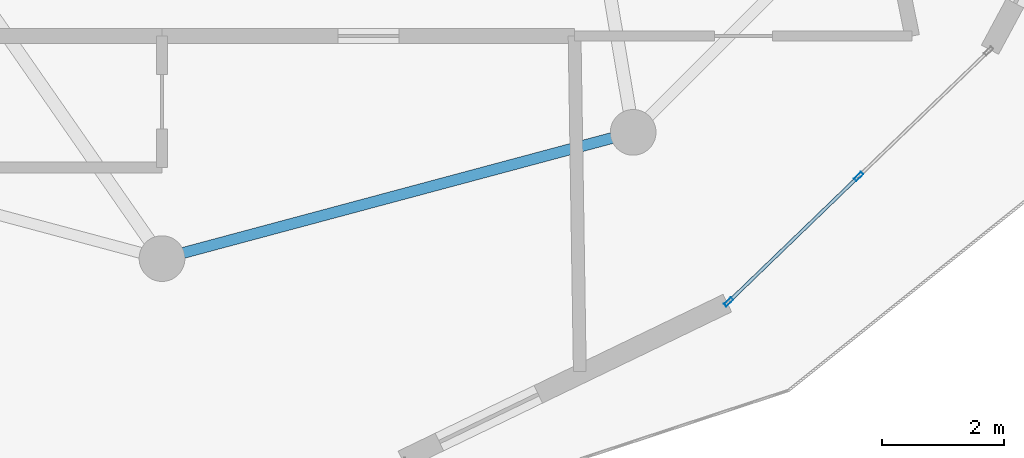
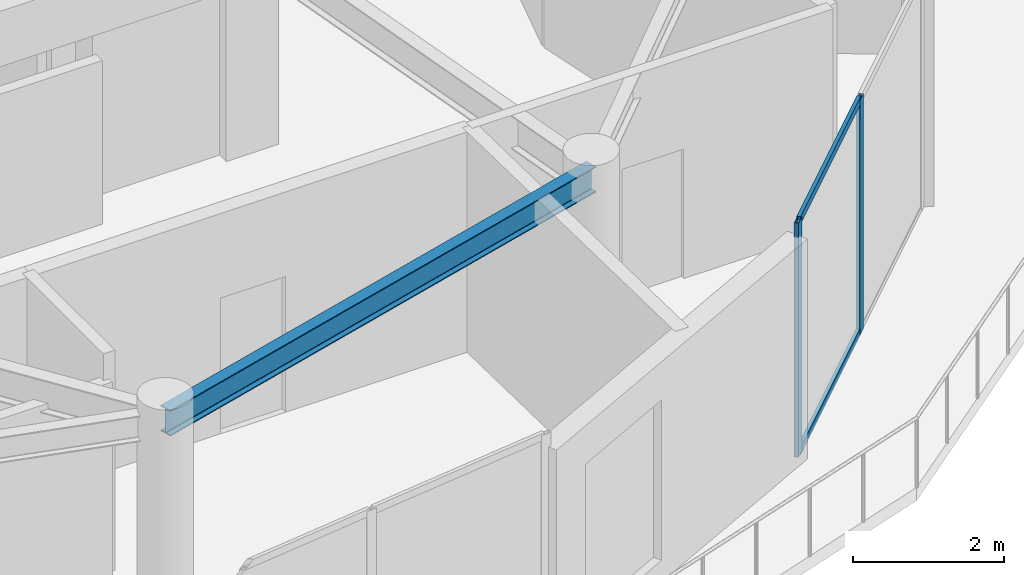
# One storey, part 5 of 23: 4 members, 1 beam, 1 element without a shape of its own.
"""IFC4 building model written with IfcOpenShell, lengths in metres."""

import ifcopenshell
import ifcopenshell.guid

model = None  # the IFC model being written
_history = None  # IfcOwnerHistory: only IFC2X3 demands one
_inside = {}  # id of a spatial element -> (the spatial element, [elements in it])
_under = {}  # id of a project, library or spatial element -> (it, [spatial elements below it])
_declared = {}  # id of a project -> (the project, [libraries it declares])
_typed = {}  # id of a type object -> (the type object, [elements of that type])
_made_of = {}  # id of a material, layer set ... -> (it, [elements and type objects made of it])


def new_model(schema):
    """Start an empty IFC model of exactly this schema.

    Asked for "IFC4X3", IfcOpenShell would pick the latest addendum, in which some entities
    have other attributes; the version numbers below select the first issue.
    IFC2X3 requires an IfcOwnerHistory on every rooted entity: one is made here for all.
    """
    global model, _history
    if schema == "IFC4X3":
        model = ifcopenshell.file(schema_version=(4, 3, 0, 0))
    else:
        model = ifcopenshell.file(schema=schema)
    _inside.clear()
    _under.clear()
    _declared.clear()
    _typed.clear()
    _made_of.clear()
    _history = None
    if model.schema == "IFC2X3":
        org = make("IfcOrganization", Name="unknown")
        user = make(
            "IfcPersonAndOrganization",
            ThePerson=make("IfcPerson", FamilyName="unknown"),
            TheOrganization=org,
        )
        app = make(
            "IfcApplication",
            ApplicationDeveloper=org,
            Version="unknown",
            ApplicationFullName="unknown",
            ApplicationIdentifier="unknown",
        )
        _history = make(
            "IfcOwnerHistory",
            OwningUser=user,
            OwningApplication=app,
            ChangeAction="ADDED",
            CreationDate=0,
        )
    return model


def make(cls, **values):
    """One entity of the class cls with the attributes given. An attribute that is None is left unset."""
    return model.create_entity(
        cls, **{name: value for name, value in values.items() if value is not None}
    )


def rooted(cls, **values):
    """An entity with a GlobalId (a new one), such as an element, a storey or a relation."""
    return make(cls, GlobalId=ifcopenshell.guid.new(), OwnerHistory=_history, **values)


def si_unit(unit_type, name, prefix=None):
    """IfcSIUnit, for example si_unit("LENGTHUNIT", "METRE", prefix="MILLI")."""
    return make("IfcSIUnit", UnitType=unit_type, Prefix=prefix, Name=name)


def assignment(units):
    """IfcUnitAssignment: the units of a project."""
    return None if units is None else make("IfcUnitAssignment", Units=units)


def point(xyz):
    """IfcCartesianPoint."""
    return None if xyz is None else make("IfcCartesianPoint", Coordinates=xyz)


def direction(xyz):
    """IfcDirection."""
    return None if xyz is None else make("IfcDirection", DirectionRatios=xyz)


def frame(location, z_axis=None, x_axis=None):
    """IfcAxis2Placement3D, a coordinate frame: its origin and axes. An axis left out is left unset."""
    return make(
        "IfcAxis2Placement3D",
        Location=point(location),
        Axis=direction(z_axis),
        RefDirection=direction(x_axis),
    )


def frame_2d(location, x_axis=None):
    """IfcAxis2Placement2D, a coordinate frame in the plane: its origin and x axis."""
    return make(
        "IfcAxis2Placement2D", Location=point(location), RefDirection=direction(x_axis)
    )


def origin():
    """The frame at (0, 0, 0) with its axes left unset."""
    return frame((0.0, 0.0, 0.0))


def origin_2d():
    """The frame at (0, 0) in the plane with its x axis left unset."""
    return frame_2d((0.0, 0.0))


def place(relative_to, where):
    """IfcLocalPlacement: puts the frame where relative to a parent placement (None: the world)."""
    return make(
        "IfcLocalPlacement", PlacementRelTo=relative_to, RelativePlacement=where
    )


def context(
    kind, dimensions, precision=None, world=None, true_north=None, identifier=None
):
    """IfcGeometricRepresentationContext, for example the 3D "Model" context."""
    return make(
        "IfcGeometricRepresentationContext",
        ContextIdentifier=identifier,
        ContextType=kind,
        CoordinateSpaceDimension=dimensions,
        Precision=precision,
        WorldCoordinateSystem=world,
        TrueNorth=true_north,
    )


def subcontext(parent, identifier, kind, view, scale=None):
    """IfcGeometricRepresentationSubContext, for example "Body" below "Model"."""
    return make(
        "IfcGeometricRepresentationSubContext",
        ContextIdentifier=identifier,
        ContextType=kind,
        ParentContext=parent,
        TargetScale=scale,
        TargetView=view,
    )


def project(units=None, contexts=None):
    """IfcProject with its units and contexts."""
    return rooted(
        "IfcProject",
        Name="project",
        RepresentationContexts=contexts,
        UnitsInContext=assignment(units),
    )


def spatial(cls, under=None, at=None, **own):
    """A site, building, storey or space (cls), placed at a placement, below another one or the project."""
    s = rooted(cls, ObjectPlacement=at, **own)
    if under is not None:
        _under.setdefault(under.id(), (under, []))[1].append(s)
    return s


def profile(cls, at=None, kind="AREA", **sizes):
    """A parametric profile (cls). Its sizes go by their IFC names, for example OverallWidth=200.0."""
    return make(cls, ProfileType=kind, Position=at, **sizes)


def hollow_rectangle(**sizes):
    """IfcRectangleHollowProfileDef."""
    return profile("IfcRectangleHollowProfileDef", **sizes)


def i_section(**sizes):
    """IfcIShapeProfileDef."""
    return profile("IfcIShapeProfileDef", **sizes)


def extrude(swept, where, along, depth):
    """IfcExtrudedAreaSolid: the profile swept, set in the frame where, extruded along a direction by depth."""
    return make(
        "IfcExtrudedAreaSolid",
        SweptArea=swept,
        Position=where,
        ExtrudedDirection=direction(along),
        Depth=depth,
    )


def shape(context_of_items, identifier, shape_type, items):
    """IfcShapeRepresentation: the items that make up one representation, for example the "Body"."""
    return make(
        "IfcShapeRepresentation",
        ContextOfItems=context_of_items,
        RepresentationIdentifier=identifier,
        RepresentationType=shape_type,
        Items=items,
    )


def source(mapping_origin, context_of_items, identifier, shape_type, items):
    """IfcRepresentationMap: a shape defined once, which mapped items show again and again."""
    return make(
        "IfcRepresentationMap",
        MappingOrigin=mapping_origin,
        MappedRepresentation=shape(context_of_items, identifier, shape_type, items),
    )


def transform(
    local_origin,
    x_axis=None,
    y_axis=None,
    z_axis=None,
    scale=None,
    scale2=None,
    scale3=None,
    uniform=True,
):
    """IfcCartesianTransformationOperator3D, or its non-uniform kind. x_axis, y_axis, z_axis: its Axis1, 2, 3."""
    if uniform:
        return make(
            "IfcCartesianTransformationOperator3D",
            Axis1=direction(x_axis),
            Axis2=direction(y_axis),
            LocalOrigin=point(local_origin),
            Scale=scale,
            Axis3=direction(z_axis),
        )
    return make(
        "IfcCartesianTransformationOperator3DnonUniform",
        Axis1=direction(x_axis),
        Axis2=direction(y_axis),
        LocalOrigin=point(local_origin),
        Scale=scale,
        Axis3=direction(z_axis),
        Scale2=scale2,
        Scale3=scale3,
    )


def mapped(mapping_source, mapping_target):
    """IfcMappedItem: shows the shape of a source again, moved by a transform."""
    return make(
        "IfcMappedItem", MappingSource=mapping_source, MappingTarget=mapping_target
    )


def material(Name=None, Category=None):
    """IfcMaterial."""
    return make("IfcMaterial", Name=Name, Category=Category)


def layer(
    of_material, thickness, ventilated=None, Name=None, Category=None, Priority=None
):
    """IfcMaterialLayer: one layer of a wall or slab, of a material (None: an air gap)."""
    return make(
        "IfcMaterialLayer",
        Material=of_material,
        LayerThickness=thickness,
        IsVentilated=ventilated,
        Name=Name,
        Category=Category,
        Priority=Priority,
    )


def layer_set(layers, Name=None):
    """IfcMaterialLayerSet."""
    return make("IfcMaterialLayerSet", MaterialLayers=layers, LayerSetName=Name)


def material_profile(
    of_material, cross_section, Name=None, Category=None, Priority=None
):
    """IfcMaterialProfile: a cross section and its material."""
    return make(
        "IfcMaterialProfile",
        Name=Name,
        Material=of_material,
        Profile=cross_section,
        Priority=Priority,
        Category=Category,
    )


def profile_set(profiles, Name=None, composite=None):
    """IfcMaterialProfileSet."""
    return make(
        "IfcMaterialProfileSet",
        Name=Name,
        MaterialProfiles=profiles,
        CompositeProfile=composite,
    )


def made_of(thing, what):
    """Note that an element or type object is made of a material, layer set ...; save() writes the relation."""
    if what is not None:
        _made_of.setdefault(what.id(), (what, []))[1].append(thing)
    return thing


def type_object(cls, material=None, **own):
    """A type object (cls), such as IfcWallType, which elements share."""
    return made_of(rooted(cls, **own), material)


def element(
    cls,
    number,
    at=None,
    inside=None,
    cuts=None,
    type_object=None,
    material=None,
    context=None,
    identifier="Body",
    shape_type=None,
    held_by="IfcProductDefinitionShape",
    body=None,
    shapes=None,
    **own,
):
    """One element of the class cls, such as IfcWall. Its Tag is "e" and its number.

    at: its placement. inside: the storey or other place that contains it. cuts: it is an
    opening in that element (IfcRelVoidsElement). A single representation is given by context,
    identifier, shape_type and body (its items); several are given by shapes. held_by: the class
    of the entity that holds the representations. save() writes the other relations.
    """
    e = rooted(cls, Tag="e%d" % number, ObjectPlacement=at, **own)
    if body is not None:
        shapes = [shape(context, identifier, shape_type, body)]
    if shapes is not None:
        e.Representation = make(held_by, Representations=shapes)
    if inside is not None:
        _inside.setdefault(inside.id(), (inside, []))[1].append(e)
    if cuts is not None:
        rooted(
            "IfcRelVoidsElement", RelatingBuildingElement=cuts, RelatedOpeningElement=e
        )
    if type_object is not None:
        _typed.setdefault(type_object.id(), (type_object, []))[1].append(e)
    return made_of(e, material)


def aggregate(whole, parts):
    """IfcRelAggregates: a whole, such as a stair, and the parts it consists of."""
    return rooted("IfcRelAggregates", RelatingObject=whole, RelatedObjects=parts)


def save(model, path):
    """Write the relations noted so far, then the file.

    IfcRelAggregates (storeys below a building ...), IfcRelContainedInSpatialStructure (elements
    in a storey), IfcRelDefinesByType, IfcRelAssociatesMaterial and IfcRelDeclares: one each for
    every whole, place, type object, material and project.
    """
    for whole, parts in _under.values():
        aggregate(whole, parts)
    for where, things in _inside.values():
        rooted(
            "IfcRelContainedInSpatialStructure",
            RelatedElements=things,
            RelatingStructure=where,
        )
    for kind, things in _typed.values():
        rooted("IfcRelDefinesByType", RelatedObjects=things, RelatingType=kind)
    for what, things in _made_of.values():
        rooted("IfcRelAssociatesMaterial", RelatedObjects=things, RelatingMaterial=what)
    for by, libraries in _declared.values():
        rooted("IfcRelDeclares", RelatingContext=by, RelatedDefinitions=libraries)
    model.write(path)


model = new_model("IFC4")

# Units and contexts
model_context = context("Model", 3, precision=1e-05, world=origin(), true_north=direction((0.0, 1.0)))
body_context = subcontext(model_context, "Body", "Model", "MODEL_VIEW")
ifc_project = project(units=[si_unit("LENGTHUNIT", "METRE"), si_unit("AREAUNIT", "SQUARE_METRE"), si_unit("VOLUMEUNIT", "CUBIC_METRE"), si_unit("PLANEANGLEUNIT", "RADIAN"), si_unit("MASSUNIT", "GRAM", prefix="KILO")], contexts=[model_context])

# Site, building, storey
site_placement = place(None, origin())
site = spatial("IfcSite", under=ifc_project, at=site_placement, CompositionType="ELEMENT")
building_placement = place(site_placement, origin())
building = spatial("IfcBuilding", under=site, at=building_placement, Name="Solvirekh Grand Hotel", CompositionType="ELEMENT")
storey_placement = place(building_placement, frame((0.0, 0.0, 285.800048828125)))
storey = spatial("IfcBuildingStorey", under=building, at=storey_placement, Name="L74", CompositionType="ELEMENT", Elevation=285.800048828125)

# Beam
ifc_material_1 = material(Name="Steel S355", Category="steel")
ifc_material_profile_1 = material_profile(ifc_material_1, i_section(OverallWidth=0.180908203125, OverallDepth=0.4169921875, WebThickness=0.010009765625, FlangeThickness=0.01611328125, FilletRadius=0.011962890625, at=origin_2d()), Name="W410X85")
ifc_profile_set_1 = profile_set([ifc_material_profile_1], Name="Steel S355")
beam_type = type_object("IfcBeamType", Name="Spandrel_Ring_W410", PredefinedType="SPANDREL", material=ifc_profile_set_1)
beam_placement = place(storey_placement, frame((0.0, -15.449951171875, 3.36083984375), z_axis=(0.965921616143, 0.258834757072, 0.0), x_axis=(-0.258834757072, 0.965921616143, 0.0)))
element("IfcBeam", 1, at=beam_placement, inside=storey, type_object=beam_type, Name="L74 perimeter spandrel beam 10", PredefinedType="SPANDREL", context=body_context, shape_type="SweptSolid", body=[
    extrude(i_section(OverallWidth=0.180908203125, OverallDepth=0.4169921875, WebThickness=0.010009765625, FlangeThickness=0.01611328125, FilletRadius=0.011962890625, at=origin_2d()), origin(), (0.0, 0.0, 1.0), 7.99755859375),
])

# Curtain wall, members
ifc_material_2 = material(Name="Anodized Bronze Aluminium 6063-T6", Category="aluminium")
ifc_layer = layer(ifc_material_2, 0.159912109375)
ifc_layer_set = layer_set([ifc_layer], Name="Anodized Bronze Aluminium 6063-T6")
curtain_wall_type = type_object("IfcCurtainWallType", Name="CW_Sys4_HighZoneFlushBronzeCW", PredefinedType="NOTDEFINED", material=ifc_layer_set)
curtain_wall_placement = place(storey_placement, origin())
curtain_wall = element("IfcCurtainWall", 2, at=curtain_wall_placement, inside=storey, type_object=curtain_wall_type, Name="L74 unitised bronze-glass curtain wall CW-L74-C03", PredefinedType="NOTDEFINED")
ifc_material_profile_2 = material_profile(ifc_material_2, hollow_rectangle(XDim=0.06005859375, YDim=0.159912109375, WallThickness=0.0048828125, at=origin_2d()), Name="ALU RHS 160X60X5")
ifc_profile_set_2 = profile_set([ifc_material_profile_2], Name="Anodized Bronze Aluminium 6063-T6")
member_type_1 = type_object("IfcMemberType", Name="CWMullion_Sys4", PredefinedType="MULLION", material=ifc_profile_set_2)
shared_shape_1 = source(origin(), body_context, "Body", "SweptSolid", [
    extrude(hollow_rectangle(XDim=0.06005859375, YDim=0.159912109375, WallThickness=0.0048828125, at=origin_2d()), origin(), (0.0, 0.0, 1.0), 3.800048828125),
])
member_1_placement = place(storey_placement, frame((9.29052734375, -16.1591796875, 0.0), z_axis=(0.0, 0.0, 1.0), x_axis=(-0.694293264644, 0.719692199951, 0.0)))
member_1 = element("IfcMember", 3, at=member_1_placement, type_object=member_type_1, Name="U04 mullion 1", PredefinedType="MULLION", context=body_context, shape_type="MappedRepresentation", body=[
    mapped(shared_shape_1, transform((0.0, 0.0, 0.0), x_axis=(1.0, 0.0, 0.0), y_axis=(0.0, 1.0, 0.0), z_axis=(0.0, 0.0, 1.0), scale=1.0)),
])
member_2_placement = place(storey_placement, frame((11.422607421875, -14.1025390625, 0.0), z_axis=(0.0, 0.0, 1.0), x_axis=(-0.694293264644, 0.719692199951, 0.0)))
member_2 = element("IfcMember", 4, at=member_2_placement, type_object=member_type_1, Name="U04 mullion 2", PredefinedType="MULLION", context=body_context, shape_type="MappedRepresentation", body=[
    mapped(shared_shape_1, transform((0.0, 0.0, 0.0), x_axis=(1.0, 0.0, 0.0), y_axis=(0.0, 1.0, 0.0), z_axis=(0.0, 0.0, 1.0), scale=1.0)),
])
ifc_material_profile_3 = material_profile(ifc_material_2, hollow_rectangle(XDim=0.054931640625, YDim=0.1201171875, WallThickness=0.00390625, at=origin_2d()), Name="ALU RHS 120X55X4")
ifc_profile_set_3 = profile_set([ifc_material_profile_3], Name="Anodized Bronze Aluminium 6063-T6")
member_type_2 = type_object("IfcMemberType", Name="CWTransom_Sys4", PredefinedType="USERDEFINED", material=ifc_profile_set_3)
shared_shape_2 = source(origin(), body_context, "Body", "SweptSolid", [
    extrude(hollow_rectangle(XDim=0.054931640625, YDim=0.1201171875, WallThickness=0.00390625, at=origin_2d()), origin(), (0.0, 0.0, 1.0), 2.90234375),
])
member_3_placement = place(storey_placement, frame((9.312255859375, -16.138427734375, 0.02734375), z_axis=(0.719653620356, 0.694333253351, 0.0), x_axis=(-0.694333253351, 0.719653620356, 0.0)))
member_3 = element("IfcMember", 5, at=member_3_placement, type_object=member_type_2, Name="U04 transom 1.1", ObjectType="TRANSOM", PredefinedType="USERDEFINED", context=body_context, shape_type="MappedRepresentation", body=[
    mapped(shared_shape_2, transform((0.0, 0.0, 0.0), x_axis=(1.0, 0.0, 0.0), y_axis=(0.0, 1.0, 0.0), z_axis=(0.0, 0.0, 1.0), scale=1.0)),
])
member_4_placement = place(storey_placement, frame((9.312255859375, -16.138427734375, 3.7724609375), z_axis=(0.719653620356, 0.694333253351, 0.0), x_axis=(-0.694333253351, 0.719653620356, 0.0)))
member_4 = element("IfcMember", 6, at=member_4_placement, type_object=member_type_2, Name="U04 transom 1.2", ObjectType="TRANSOM", PredefinedType="USERDEFINED", context=body_context, shape_type="MappedRepresentation", body=[
    mapped(shared_shape_2, transform((0.0, 0.0, 0.0), x_axis=(1.0, 0.0, 0.0), y_axis=(0.0, 1.0, 0.0), z_axis=(0.0, 0.0, 1.0), scale=1.0)),
])
aggregate(curtain_wall, [member_1, member_2, member_3, member_4])

save(model, "model.ifc")
